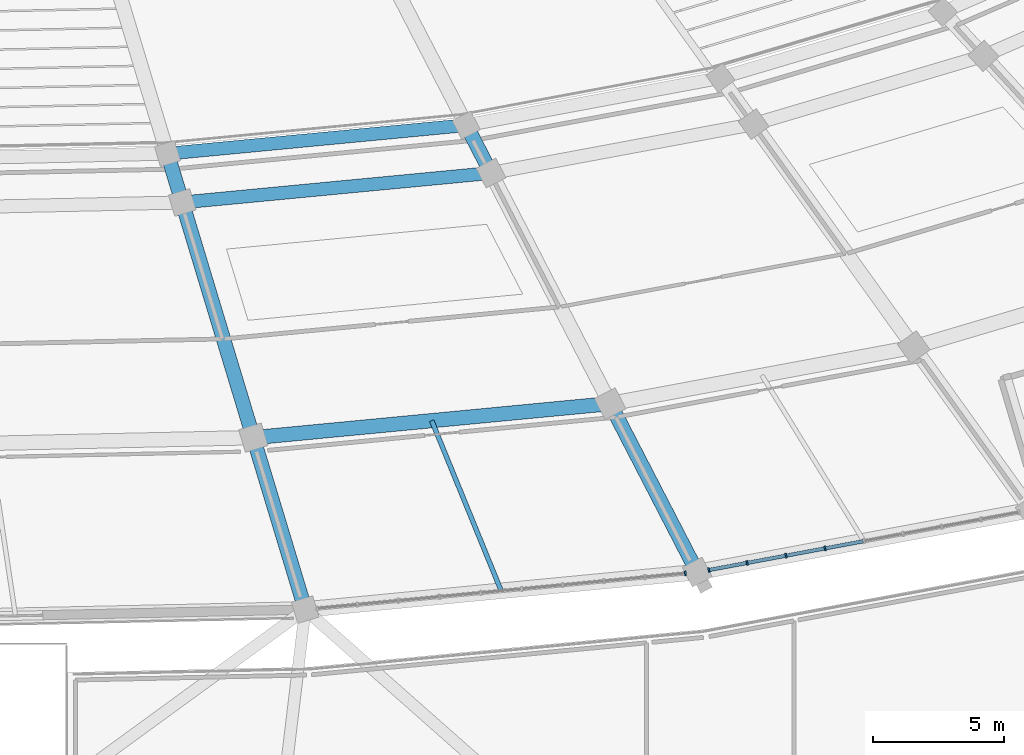
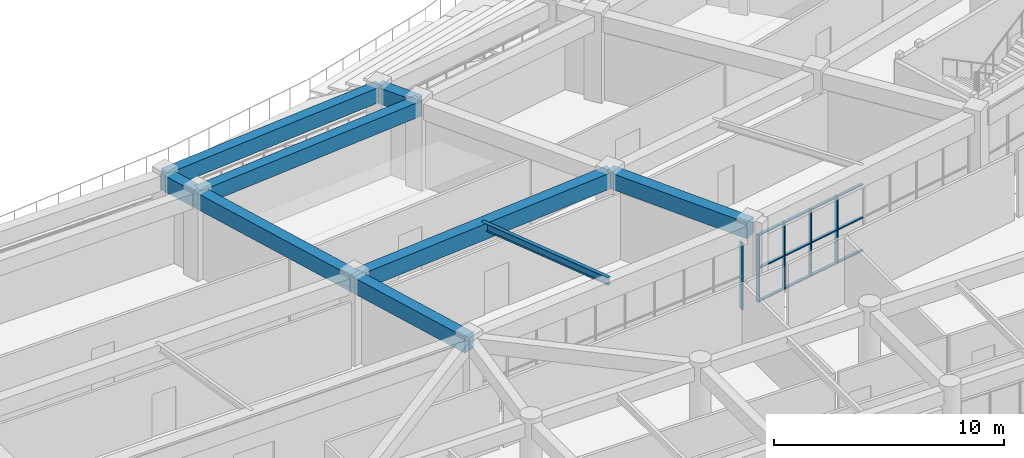
# One storey, part 35 of 152: 17 members, 9 beams, 2 elements without a shape of their own.
"""IFC4 building model written with IfcOpenShell, lengths in metres."""

from ifc_helpers import new_model, si_unit, direction, frame, origin, origin_2d, place, context, subcontext, project, spatial, rectangle, i_section, extrude, material, layer, layer_set, material_profile, profile_set, type_object, element, aggregate, save


model = new_model("IFC4")

# Units and contexts
model_context = context("Model", 3, precision=1e-05, world=origin(), true_north=direction((0.0, 1.0)))
body_context = subcontext(model_context, "Body", "Model", "MODEL_VIEW")
ifc_project = project(units=[si_unit("LENGTHUNIT", "METRE"), si_unit("AREAUNIT", "SQUARE_METRE"), si_unit("VOLUMEUNIT", "CUBIC_METRE"), si_unit("PLANEANGLEUNIT", "RADIAN"), si_unit("MASSUNIT", "GRAM", prefix="KILO")], contexts=[model_context])

# Site, building, storey
site_placement = place(None, origin())
site = spatial("IfcSite", under=ifc_project, at=site_placement, CompositionType="ELEMENT")
building_placement = place(site_placement, origin())
building = spatial("IfcBuilding", under=site, at=building_placement, Name="Mphavela Belvedere Stadium", CompositionType="ELEMENT")
storey_placement = place(building_placement, frame((0.0, 0.0, 5.39990234375)))
storey = spatial("IfcBuildingStorey", under=building, at=storey_placement, Name="L01", CompositionType="ELEMENT", Elevation=5.39990234375)

# Beams
ifc_material_1 = material(Name="Steel S355", Category="steel")
ifc_material_profile_1 = material_profile(ifc_material_1, i_section(OverallWidth=0.179931640625, OverallDepth=0.39990234375, WebThickness=0.008544921875, FlangeThickness=0.013427734375, at=origin_2d()), Name="IPE 400")
ifc_profile_set_1 = profile_set([ifc_material_profile_1], Name="Steel S355")
beam_type_1 = type_object("IfcBeamType", Name="BM-JOIST-IPE400", PredefinedType="JOIST", material=ifc_profile_set_1)
beam_1_placement = place(storey_placement, frame((141.94140625, 21.015380859375, 4.35009765625), z_axis=(0.378004122754, -0.925803911841, 0.0), x_axis=(0.925803911841, 0.378004122754, 0.0)))
element("IfcBeam", 1, at=beam_1_placement, inside=storey, type_object=beam_type_1, Name="Concourse floor joist L01-38", PredefinedType="JOIST", context=body_context, shape_type="SweptSolid", body=[
    extrude(i_section(OverallWidth=0.179931640625, OverallDepth=0.39990234375, WebThickness=0.008544921875, FlangeThickness=0.013427734375, at=origin_2d()), origin(), (0.0, 0.0, 1.0), 7.0166015625),
])
ifc_material_2 = material(Name="Concrete C40/50", Category="concrete")
ifc_material_profile_2 = material_profile(ifc_material_2, rectangle(XDim=0.5, YDim=0.800048828125, at=origin_2d()), Name="RC 500x800")
ifc_profile_set_2 = profile_set([ifc_material_profile_2], Name="Concrete C40/50")
beam_type_2 = type_object("IfcBeamType", Name="BM-RC500x800", PredefinedType="BEAM", material=ifc_profile_set_2)
beam_2_placement = place(storey_placement, frame((131.857177734375, 31.20703125, 4.150146484375), z_axis=(0.995485216305, 0.094916722014, 0.0), x_axis=(-0.094916722014, 0.995485216305, 0.0)))
element("IfcBeam", 2, at=beam_2_placement, inside=storey, type_object=beam_type_2, Name="Circumferential girder L01 R1-38", PredefinedType="BEAM", context=body_context, shape_type="SweptSolid", body=[
    extrude(rectangle(XDim=0.5, YDim=0.800048828125, at=origin_2d()), origin(), (0.0, 0.0, 1.0), 11.453857421875),
])
beam_3_placement = place(storey_placement, frame((132.42041015625, 29.342529296875, 4.150146484375), z_axis=(0.9954829494, 0.094940494283, 0.0), x_axis=(-0.094940494283, 0.9954829494, 0.0)))
element("IfcBeam", 3, at=beam_3_placement, inside=storey, type_object=beam_type_2, Name="Circumferential girder L01 R2-38", PredefinedType="BEAM", context=body_context, shape_type="SweptSolid", body=[
    extrude(rectangle(XDim=0.5, YDim=0.800048828125, at=origin_2d()), origin(), (0.0, 0.0, 1.0), 11.836669921875),
])
ifc_material_3 = material(Name="Concrete C40/50", Category="concrete")
ifc_material_profile_3 = material_profile(ifc_material_3, rectangle(XDim=0.550048828125, YDim=0.85009765625, at=origin_2d()), Name="RC 550x850")
ifc_profile_set_3 = profile_set([ifc_material_profile_3], Name="Concrete C40/50")
beam_type_3 = type_object("IfcBeamType", Name="BM-RC550x850", PredefinedType="BEAM", material=ifc_profile_set_3)
beam_4_placement = place(storey_placement, frame((135.1328125, 20.365966796875, 4.125), z_axis=(0.995483834103, 0.094931217412, 0.0), x_axis=(-0.094931217412, 0.995483834103, 0.0)))
element("IfcBeam", 4, at=beam_4_placement, inside=storey, type_object=beam_type_3, Name="Circumferential girder L01 R3-38", PredefinedType="BEAM", context=body_context, shape_type="SweptSolid", body=[
    extrude(rectangle(XDim=0.550048828125, YDim=0.85009765625, at=origin_2d()), origin(), (0.0, 0.0, 1.0), 13.67919921875),
])
beam_5_placement = place(storey_placement, frame((131.857177734375, 31.20703125, 4.125), z_axis=(0.289175820075, -0.957276002563, 0.0), x_axis=(0.957276002563, 0.289175820075, 0.0)))
element("IfcBeam", 5, at=beam_5_placement, inside=storey, type_object=beam_type_3, Name="Radial concourse girder L01 R1R2-38", PredefinedType="BEAM", context=body_context, shape_type="SweptSolid", body=[
    extrude(rectangle(XDim=0.550048828125, YDim=0.85009765625, at=origin_2d()), origin(), (0.0, 0.0, 1.0), 1.94775390625),
])
beam_6_placement = place(storey_placement, frame((132.42041015625, 29.342529296875, 4.125), z_axis=(0.289248589313, -0.95725401727, 0.0), x_axis=(0.95725401727, 0.289248589313, 0.0)))
element("IfcBeam", 6, at=beam_6_placement, inside=storey, type_object=beam_type_3, Name="Radial concourse girder L01 R2R3-38", PredefinedType="BEAM", context=body_context, shape_type="SweptSolid", body=[
    extrude(rectangle(XDim=0.550048828125, YDim=0.85009765625, at=origin_2d()), origin(), (0.0, 0.0, 1.0), 9.37744140625),
])
beam_7_placement = place(storey_placement, frame((135.1328125, 20.365966796875, 4.125), z_axis=(0.28918755919, -0.95727245631, 0.0), x_axis=(0.95727245631, 0.28918755919, 0.0)))
element("IfcBeam", 7, at=beam_7_placement, inside=storey, type_object=beam_type_3, Name="Radial concourse girder L01 R3R4-38", PredefinedType="BEAM", context=body_context, shape_type="SweptSolid", body=[
    extrude(rectangle(XDim=0.550048828125, YDim=0.85009765625, at=origin_2d()), origin(), (0.0, 0.0, 1.0), 6.8525390625),
])
beam_8_placement = place(storey_placement, frame((143.25927734375, 32.294189453125, 4.125), z_axis=(0.458993514161, -0.888439617508, 0.0), x_axis=(0.888439617508, 0.458993514161, 0.0)))
element("IfcBeam", 8, at=beam_8_placement, inside=storey, type_object=beam_type_3, Name="Radial concourse girder L01 R1R2-39", PredefinedType="BEAM", context=body_context, shape_type="SweptSolid", body=[
    extrude(rectangle(XDim=0.550048828125, YDim=0.85009765625, at=origin_2d()), origin(), (0.0, 0.0, 1.0), 2.057373046875),
])
beam_9_placement = place(storey_placement, frame((148.750244140625, 21.66455078125, 4.125), z_axis=(0.458951286165, -0.888461432436, 0.0), x_axis=(0.888461432436, 0.458951286165, 0.0)))
element("IfcBeam", 9, at=beam_9_placement, inside=storey, type_object=beam_type_3, Name="Radial concourse girder L01 R3R4-39", PredefinedType="BEAM", context=body_context, shape_type="SweptSolid", body=[
    extrude(rectangle(XDim=0.550048828125, YDim=0.85009765625, at=origin_2d()), origin(), (0.0, 0.0, 1.0), 7.2392578125),
])

# Curtain wall, member
ifc_material_4 = material(Name="Anodised bronze unitised curtain wall framing")
ifc_layer_1 = layer(ifc_material_4, 0.199951171875)
ifc_layer_set_1 = layer_set([ifc_layer_1], Name="Anodised bronze unitised curtain wall framing")
curtain_wall_type_1 = type_object("IfcCurtainWallType", Name="CW-UNIT-05", PredefinedType="USERDEFINED", material=ifc_layer_set_1)
curtain_wall_1_placement = place(storey_placement, origin())
curtain_wall_1 = element("IfcCurtainWall", 10, at=curtain_wall_1_placement, inside=storey, type_object=curtain_wall_type_1, Name="Belvedere colonnade curtain wall L01-38", ObjectType="UNITISED CURTAIN WALL", PredefinedType="USERDEFINED")
ifc_material_5 = material(Name="Anodised bronze extruded aluminium", Category="aluminium")
ifc_material_profile_4 = material_profile(ifc_material_5, rectangle(XDim=0.179931640625, YDim=0.06494140625, at=origin_2d()), Name="CW-MUL 180x65")
ifc_profile_set_4 = profile_set([ifc_material_profile_4], Name="Anodised bronze extruded aluminium")
member_type_1 = type_object("IfcMemberType", Name="CWM-180x65", PredefinedType="MULLION", material=ifc_profile_set_4)
member_1_placement = place(storey_placement, frame((151.619384765625, 15.189208984375, 0.0), z_axis=(0.0, 0.0, 1.0), x_axis=(-0.094922243726, 0.99548468981, 0.0)))
member_1 = element("IfcMember", 11, at=member_1_placement, type_object=member_type_1, Name="CW-05 mullion 10", PredefinedType="MULLION", context=body_context, shape_type="SweptSolid", body=[
    extrude(rectangle(XDim=0.179931640625, YDim=0.06494140625, at=origin_2d()), origin(), (0.0, 0.0, 1.0), 3.570068359375),
])
aggregate(curtain_wall_1, [member_1])

# Curtain wall, members
ifc_material_6 = material(Name="Anodised bronze unitised curtain wall framing")
ifc_layer_2 = layer(ifc_material_6, 0.205078125)
ifc_layer_set_2 = layer_set([ifc_layer_2], Name="Anodised bronze unitised curtain wall framing")
curtain_wall_type_2 = type_object("IfcCurtainWallType", Name="CW-UNIT-06", PredefinedType="USERDEFINED", material=ifc_layer_set_2)
curtain_wall_2_placement = place(storey_placement, origin())
curtain_wall_2 = element("IfcCurtainWall", 12, at=curtain_wall_2_placement, inside=storey, type_object=curtain_wall_type_2, Name="Belvedere colonnade curtain wall L01-39", ObjectType="UNITISED CURTAIN WALL", PredefinedType="USERDEFINED")
member_2_placement = place(storey_placement, frame((152.5205078125, 15.31591796875, 0.0), z_axis=(0.0, 0.0, 1.0), x_axis=(-0.18309495886, 0.983095232437, 0.0)))
member_2 = element("IfcMember", 13, at=member_2_placement, type_object=member_type_1, Name="CW-06 mullion 1", PredefinedType="MULLION", context=body_context, shape_type="SweptSolid", body=[
    extrude(rectangle(XDim=0.179931640625, YDim=0.06494140625, at=origin_2d()), origin(), (0.0, 0.0, 1.0), 3.570068359375),
])
member_3_placement = place(storey_placement, frame((153.9755859375, 15.5869140625, 0.0), z_axis=(0.0, 0.0, 1.0), x_axis=(-0.18309495886, 0.983095232437, 0.0)))
member_3 = element("IfcMember", 14, at=member_3_placement, type_object=member_type_1, Name="CW-06 mullion 2", PredefinedType="MULLION", context=body_context, shape_type="SweptSolid", body=[
    extrude(rectangle(XDim=0.179931640625, YDim=0.06494140625, at=origin_2d()), origin(), (0.0, 0.0, 1.0), 3.570068359375),
])
member_4_placement = place(storey_placement, frame((155.462890625, 15.864013671875, 0.0), z_axis=(0.0, 0.0, 1.0), x_axis=(-0.18309495886, 0.983095232437, 0.0)))
member_4 = element("IfcMember", 15, at=member_4_placement, type_object=member_type_1, Name="CW-06 mullion 3", PredefinedType="MULLION", context=body_context, shape_type="SweptSolid", body=[
    extrude(rectangle(XDim=0.179931640625, YDim=0.06494140625, at=origin_2d()), origin(), (0.0, 0.0, 1.0), 3.570068359375),
])
member_5_placement = place(storey_placement, frame((156.949951171875, 16.140869140625, 0.0), z_axis=(0.0, 0.0, 1.0), x_axis=(-0.18309495886, 0.983095232437, 0.0)))
member_5 = element("IfcMember", 16, at=member_5_placement, type_object=member_type_1, Name="CW-06 mullion 4", PredefinedType="MULLION", context=body_context, shape_type="SweptSolid", body=[
    extrude(rectangle(XDim=0.179931640625, YDim=0.06494140625, at=origin_2d()), origin(), (0.0, 0.0, 1.0), 3.570068359375),
])
ifc_material_7 = material(Name="Anodised bronze extruded aluminium", Category="aluminium")
ifc_material_profile_5 = material_profile(ifc_material_7, rectangle(XDim=0.139892578125, YDim=0.06005859375, at=origin_2d()), Name="CW-TRN 140x60")
ifc_profile_set_5 = profile_set([ifc_material_profile_5], Name="Anodised bronze extruded aluminium")
member_type_2 = type_object("IfcMemberType", Name="CWT-140x60", PredefinedType="USERDEFINED", material=ifc_profile_set_5)
member_6_placement = place(storey_placement, frame((152.552490234375, 15.322021484375, 0.030029296875), z_axis=(0.983107678668, 0.183028118453, 0.0), x_axis=(-0.183028118453, 0.983107678668, 0.0)))
member_6 = element("IfcMember", 17, at=member_6_placement, type_object=member_type_2, Name="CW-06 transom 1.1", ObjectType="TRANSOM", PredefinedType="USERDEFINED", context=body_context, shape_type="SweptSolid", body=[
    extrude(rectangle(XDim=0.139892578125, YDim=0.06005859375, at=origin_2d()), origin(), (0.0, 0.0, 1.0), 1.415283203125),
])
member_7_placement = place(storey_placement, frame((152.552490234375, 15.322021484375, 1.78515625), z_axis=(0.983107678668, 0.183028118453, 0.0), x_axis=(-0.183028118453, 0.983107678668, 0.0)))
member_7 = element("IfcMember", 18, at=member_7_placement, type_object=member_type_2, Name="CW-06 transom 1.2", ObjectType="TRANSOM", PredefinedType="USERDEFINED", context=body_context, shape_type="SweptSolid", body=[
    extrude(rectangle(XDim=0.139892578125, YDim=0.06005859375, at=origin_2d()), origin(), (0.0, 0.0, 1.0), 1.415283203125),
])
member_8_placement = place(storey_placement, frame((152.552490234375, 15.322021484375, 3.5400390625), z_axis=(0.983107678668, 0.183028118453, 0.0), x_axis=(-0.183028118453, 0.983107678668, 0.0)))
member_8 = element("IfcMember", 19, at=member_8_placement, type_object=member_type_2, Name="CW-06 transom 1.3", ObjectType="TRANSOM", PredefinedType="USERDEFINED", context=body_context, shape_type="SweptSolid", body=[
    extrude(rectangle(XDim=0.139892578125, YDim=0.06005859375, at=origin_2d()), origin(), (0.0, 0.0, 1.0), 1.415283203125),
])
member_9_placement = place(storey_placement, frame((154.007568359375, 15.593017578125, 0.030029296875), z_axis=(0.983119469828, 0.182964772687, 0.0), x_axis=(-0.182964772687, 0.983119469828, 0.0)))
member_9 = element("IfcMember", 20, at=member_9_placement, type_object=member_type_2, Name="CW-06 transom 2.1", ObjectType="TRANSOM", PredefinedType="USERDEFINED", context=body_context, shape_type="SweptSolid", body=[
    extrude(rectangle(XDim=0.139892578125, YDim=0.06005859375, at=origin_2d()), origin(), (0.0, 0.0, 1.0), 1.44775390625),
])
member_10_placement = place(storey_placement, frame((154.007568359375, 15.593017578125, 1.78515625), z_axis=(0.983119469828, 0.182964772687, 0.0), x_axis=(-0.182964772687, 0.983119469828, 0.0)))
member_10 = element("IfcMember", 21, at=member_10_placement, type_object=member_type_2, Name="CW-06 transom 2.2", ObjectType="TRANSOM", PredefinedType="USERDEFINED", context=body_context, shape_type="SweptSolid", body=[
    extrude(rectangle(XDim=0.139892578125, YDim=0.06005859375, at=origin_2d()), origin(), (0.0, 0.0, 1.0), 1.44775390625),
])
member_11_placement = place(storey_placement, frame((154.007568359375, 15.593017578125, 3.5400390625), z_axis=(0.983119469828, 0.182964772687, 0.0), x_axis=(-0.182964772687, 0.983119469828, 0.0)))
member_11 = element("IfcMember", 22, at=member_11_placement, type_object=member_type_2, Name="CW-06 transom 2.3", ObjectType="TRANSOM", PredefinedType="USERDEFINED", context=body_context, shape_type="SweptSolid", body=[
    extrude(rectangle(XDim=0.139892578125, YDim=0.06005859375, at=origin_2d()), origin(), (0.0, 0.0, 1.0), 1.44775390625),
])
member_12_placement = place(storey_placement, frame((155.49462890625, 15.869873046875, 0.030029296875), z_axis=(0.983089124524, 0.183127751155, 0.0), x_axis=(-0.183127751155, 0.983089124524, 0.0)))
member_12 = element("IfcMember", 23, at=member_12_placement, type_object=member_type_2, Name="CW-06 transom 3.1", ObjectType="TRANSOM", PredefinedType="USERDEFINED", context=body_context, shape_type="SweptSolid", body=[
    extrude(rectangle(XDim=0.139892578125, YDim=0.06005859375, at=origin_2d()), origin(), (0.0, 0.0, 1.0), 1.44775390625),
])
member_13_placement = place(storey_placement, frame((155.49462890625, 15.869873046875, 1.78515625), z_axis=(0.983089124524, 0.183127751155, 0.0), x_axis=(-0.183127751155, 0.983089124524, 0.0)))
member_13 = element("IfcMember", 24, at=member_13_placement, type_object=member_type_2, Name="CW-06 transom 3.2", ObjectType="TRANSOM", PredefinedType="USERDEFINED", context=body_context, shape_type="SweptSolid", body=[
    extrude(rectangle(XDim=0.139892578125, YDim=0.06005859375, at=origin_2d()), origin(), (0.0, 0.0, 1.0), 1.44775390625),
])
member_14_placement = place(storey_placement, frame((155.49462890625, 15.869873046875, 3.5400390625), z_axis=(0.983089124524, 0.183127751155, 0.0), x_axis=(-0.183127751155, 0.983089124524, 0.0)))
member_14 = element("IfcMember", 25, at=member_14_placement, type_object=member_type_2, Name="CW-06 transom 3.3", ObjectType="TRANSOM", PredefinedType="USERDEFINED", context=body_context, shape_type="SweptSolid", body=[
    extrude(rectangle(XDim=0.139892578125, YDim=0.06005859375, at=origin_2d()), origin(), (0.0, 0.0, 1.0), 1.44775390625),
])
member_15_placement = place(storey_placement, frame((156.98193359375, 16.146728515625, 0.030029296875), z_axis=(0.983083468117, 0.183158113977, 0.0), x_axis=(-0.183158113977, 0.983083468117, 0.0)))
member_15 = element("IfcMember", 26, at=member_15_placement, type_object=member_type_2, Name="CW-06 transom 4.1", ObjectType="TRANSOM", PredefinedType="USERDEFINED", context=body_context, shape_type="SweptSolid", body=[
    extrude(rectangle(XDim=0.139892578125, YDim=0.06005859375, at=origin_2d()), origin(), (0.0, 0.0, 1.0), 1.447509765625),
])
member_16_placement = place(storey_placement, frame((156.98193359375, 16.146728515625, 1.78515625), z_axis=(0.983083468117, 0.183158113977, 0.0), x_axis=(-0.183158113977, 0.983083468117, 0.0)))
member_16 = element("IfcMember", 27, at=member_16_placement, type_object=member_type_2, Name="CW-06 transom 4.2", ObjectType="TRANSOM", PredefinedType="USERDEFINED", context=body_context, shape_type="SweptSolid", body=[
    extrude(rectangle(XDim=0.139892578125, YDim=0.06005859375, at=origin_2d()), origin(), (0.0, 0.0, 1.0), 1.447509765625),
])
member_17_placement = place(storey_placement, frame((156.98193359375, 16.146728515625, 3.5400390625), z_axis=(0.983083468117, 0.183158113977, 0.0), x_axis=(-0.183158113977, 0.983083468117, 0.0)))
member_17 = element("IfcMember", 28, at=member_17_placement, type_object=member_type_2, Name="CW-06 transom 4.3", ObjectType="TRANSOM", PredefinedType="USERDEFINED", context=body_context, shape_type="SweptSolid", body=[
    extrude(rectangle(XDim=0.139892578125, YDim=0.06005859375, at=origin_2d()), origin(), (0.0, 0.0, 1.0), 1.447509765625),
])
aggregate(curtain_wall_2, [member_2, member_3, member_4, member_5, member_6, member_7, member_8, member_9, member_10, member_11, member_12, member_13, member_14, member_15, member_16, member_17])

save(model, "model.ifc")
